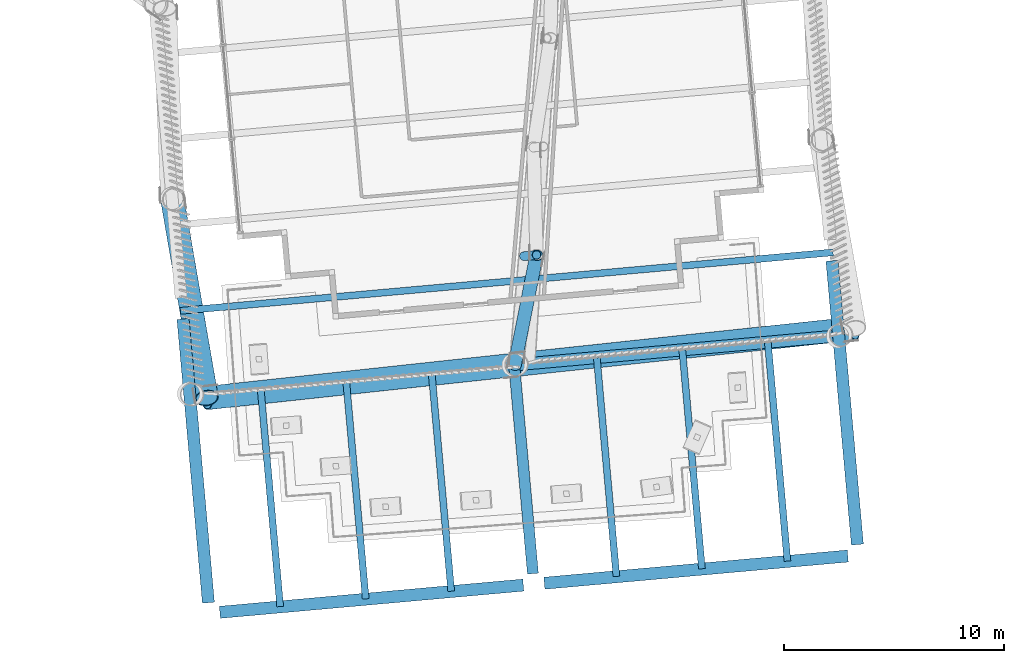
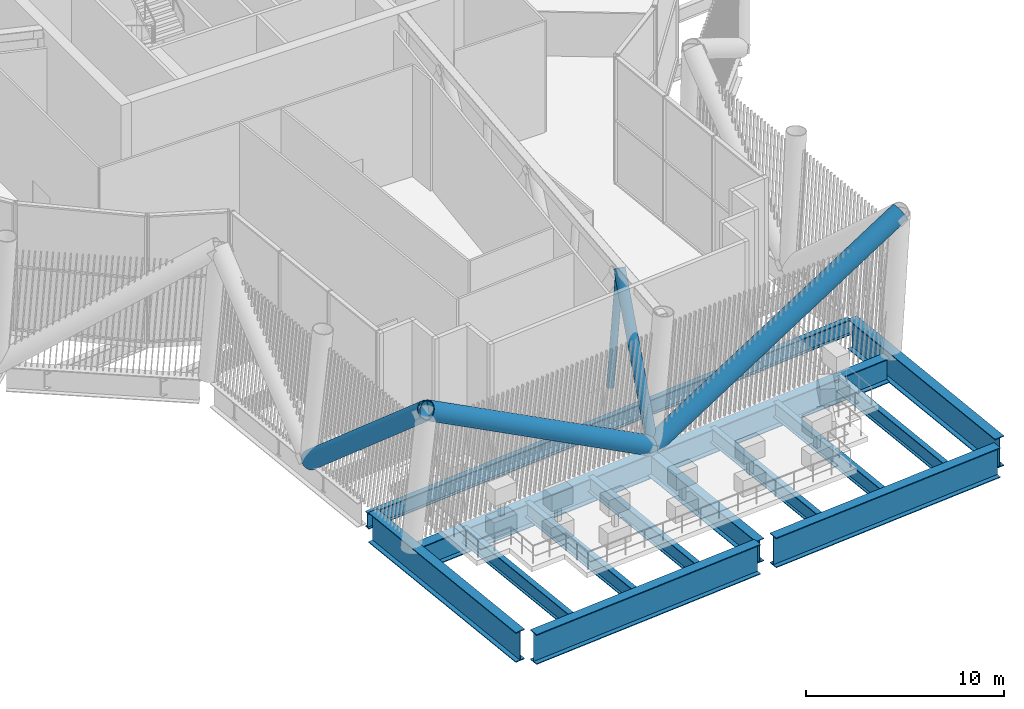
# One storey, part 3 of 55: 13 beams, 5 members.
"""IFC4 building model written with IfcOpenShell, lengths in metres."""

from ifc_helpers import new_model, si_unit, direction, frame, origin, origin_2d, place, context, subcontext, project, spatial, hollow_circle, i_section, extrude, material, material_profile, profile_set, type_object, element, save


model = new_model("IFC4")

# Units and contexts
model_context = context("Model", 3, precision=1e-05, world=origin(), true_north=direction((0.0, 1.0)))
body_context = subcontext(model_context, "Body", "Model", "MODEL_VIEW")
ifc_project = project(units=[si_unit("LENGTHUNIT", "METRE"), si_unit("AREAUNIT", "SQUARE_METRE"), si_unit("VOLUMEUNIT", "CUBIC_METRE"), si_unit("PLANEANGLEUNIT", "RADIAN"), si_unit("MASSUNIT", "GRAM", prefix="KILO")], contexts=[model_context])

# Site, building, storey
site_placement = place(None, origin())
site = spatial("IfcSite", under=ifc_project, at=site_placement, CompositionType="ELEMENT")
building_placement = place(site_placement, origin())
building = spatial("IfcBuilding", under=site, at=building_placement, Name="Tarsis Ring Headquarters", CompositionType="ELEMENT")
storey_placement = place(building_placement, frame((0.0, 0.0, 247.199951171875)))
storey = spatial("IfcBuildingStorey", under=building, at=storey_placement, Name="L58", CompositionType="ELEMENT", Elevation=247.199951171875)

# Beam
ifc_material = material(Name="Structural steel S355", Category="steel")
ifc_material_profile_1 = material_profile(ifc_material, i_section(OverallWidth=0.309814453125, OverallDepth=0.949951171875, WebThickness=0.0244140625, FlangeThickness=0.0439453125, at=origin_2d()), Name="W36x256")
ifc_profile_set_1 = profile_set([ifc_material_profile_1], Name="Structural steel S355")
beam_type_1 = type_object("IfcBeamType", Name="FB Floor beam W36x256", PredefinedType="JOIST", material=ifc_profile_set_1)
beam_1_placement = place(storey_placement, frame((-11.34521484375, -40.1728515625, -0.77490234375), z_axis=(0.996010001, 0.089241682565, 0.0), x_axis=(-0.089241682565, 0.996010001, 0.0)))
element("IfcBeam", 1, at=beam_1_placement, inside=storey, type_object=beam_type_1, Name="Floor beam FB11", PredefinedType="JOIST", context=body_context, shape_type="SweptSolid", body=[
    extrude(i_section(OverallWidth=0.309814453125, OverallDepth=0.949951171875, WebThickness=0.0244140625, FlangeThickness=0.0439453125, at=origin_2d()), origin(), (0.0, 0.0, 1.0), 29.770263671875),
])

# Members
ifc_material_profile_2 = material_profile(ifc_material, hollow_circle(Radius=0.3046875, WallThickness=0.02490234375, at=origin_2d()), Name="CHS 610x25")
ifc_profile_set_2 = profile_set([ifc_material_profile_2], Name="Structural steel S355")
member_type_1 = type_object("IfcMemberType", Name="OD Outrigger diagonal CHS 610x25", PredefinedType="BRACE", material=ifc_profile_set_2)
member_1_placement = place(storey_placement, frame((4.837158203125, -37.63330078125, 7.5859375), z_axis=(-0.111344268075, -0.559429049178, -0.821365687683), x_axis=(0.980762828398, -0.195203161944, 0.0)))
element("IfcMember", 2, at=member_1_placement, inside=storey, type_object=member_type_1, Name="Outrigger diagonal OD1", PredefinedType="BRACE", context=body_context, shape_type="SweptSolid", body=[
    extrude(hollow_circle(Radius=0.3046875, WallThickness=0.02490234375, at=origin_2d()), origin(), (0.0, 0.0, 1.0), 8.92626953125),
])
ifc_material_profile_3 = material_profile(ifc_material, hollow_circle(Radius=0.203125, WallThickness=0.01611328125, at=origin_2d()), Name="CHS 406x16")
ifc_profile_set_3 = profile_set([ifc_material_profile_3], Name="Structural steel S355")
member_type_2 = type_object("IfcMemberType", Name="OV Outrigger post CHS 406x16", PredefinedType="STRUT", material=ifc_profile_set_3)
member_2_placement = place(storey_placement, frame((4.269287109375, -37.689208984375, 0.508056640625), z_axis=(0.082927640031, 0.008164415119, 0.996522126621), x_axis=(-0.097978577814, 0.995188523994, 0.0)))
element("IfcMember", 3, at=member_2_placement, inside=storey, type_object=member_type_2, Name="Outrigger post OV1", PredefinedType="STRUT", context=body_context, shape_type="SweptSolid", body=[
    extrude(hollow_circle(Radius=0.203125, WallThickness=0.01611328125, at=origin_2d()), origin(), (0.0, 0.0, 1.0), 6.847900390625),
])

# Beams
beam_type_2 = type_object("IfcBeamType", Name="TB Transfer beam W36x256", PredefinedType="BEAM", material=ifc_profile_set_1)
beam_2_placement = place(storey_placement, frame((7.5732421875, -42.307861328125, -0.77490234375), z_axis=(0.089255121434, -0.996008796797, 0.0), x_axis=(0.996008796797, 0.089255121434, 0.0)))
element("IfcBeam", 4, at=beam_2_placement, inside=storey, type_object=beam_type_2, Name="Transfer beam TB11", PredefinedType="BEAM", context=body_context, shape_type="SweptSolid", body=[
    extrude(i_section(OverallWidth=0.309814453125, OverallDepth=0.949951171875, WebThickness=0.0244140625, FlangeThickness=0.0439453125, at=origin_2d()), origin(), (0.0, 0.0, 1.0), 9.97021484375),
])
for number, where, z_axis, x_axis, name in (
    (5, (11.457763671875, -41.9599609375, -0.77490234375), (0.089257298354, -0.996008601715, 0.0), (0.996008601715, 0.089257298354, 0.0), "Transfer beam TB11"),
    (6, (15.34228515625, -41.61181640625, -0.77490234375), (0.089233005765, -0.996010778397, 0.0), (0.996010778397, 0.089233005765, 0.0), "Transfer beam TB11"),
    (7, (0.958251953125, -52.91064453125, -0.77490234375), (-0.089257298354, 0.996008601715, 0.0), (-0.996008601715, -0.089257298354, 0.0), "Transfer beam TB11"),
    (8, (-2.92626953125, -53.258544921875, -0.77490234375), (-0.089233005765, 0.996010778397, 0.0), (-0.996010778397, -0.089233005765, 0.0), "Transfer beam TB11"),
    (9, (-6.810791015625, -53.606689453125, -0.77490234375), (-0.089233005765, 0.996010778397, 0.0), (-0.996010778397, -0.089233005765, 0.0), "Transfer beam TB11"),
):
    element("IfcBeam", number, at=place(storey_placement, frame(where, z_axis=z_axis, x_axis=x_axis)), inside=storey, type_object=beam_type_2, Name=name, PredefinedType="BEAM", context=body_context, shape_type="SweptSolid", body=[
        extrude(i_section(OverallWidth=0.309814453125, OverallDepth=0.949951171875, WebThickness=0.0244140625, FlangeThickness=0.0439453125, at=origin_2d()), origin(), (0.0, 0.0, 1.0), 9.969970703125),
    ])

# Members
ifc_material_profile_4 = material_profile(ifc_material, hollow_circle(Radius=0.533447265625, WallThickness=0.044921875, at=origin_2d()), Name="CHS 1067x45")
ifc_profile_set_4 = profile_set([ifc_material_profile_4], Name="Structural steel S355")
member_type_3 = type_object("IfcMemberType", Name="TD Belt truss diagonal CHS 1067x45", PredefinedType="BRACE", material=ifc_profile_set_4)
member_3_placement = place(storey_placement, frame((-11.7158203125, -35.083251953125, 0.0), z_axis=(0.128340772344, -0.7430656118, 0.656796880866), x_axis=(0.985409888124, 0.170197979976, 0.0)))
element("IfcMember", 10, at=member_3_placement, inside=storey, type_object=member_type_3, Name="Belt truss diagonal TD5", PredefinedType="BRACE", context=body_context, shape_type="SweptSolid", body=[
    extrude(hollow_circle(Radius=0.533447265625, WallThickness=0.044921875, at=origin_2d()), origin(), (0.0, 0.0, 1.0), 12.180419921875),
])
member_4_placement = place(storey_placement, frame((3.819580078125, -42.629150390625, 0.0), z_axis=(-0.864051149965, -0.093063276051, 0.494727032711), x_axis=(0.107086410251, -0.994249717495, 0.0)))
element("IfcMember", 11, at=member_4_placement, inside=storey, type_object=member_type_3, Name="Belt truss diagonal TD5", PredefinedType="BRACE", context=body_context, shape_type="SweptSolid", body=[
    extrude(hollow_circle(Radius=0.533447265625, WallThickness=0.044921875, at=origin_2d()), origin(), (0.0, 0.0, 1.0), 16.170654296875),
])
member_5_placement = place(storey_placement, frame((3.819580078125, -42.629150390625, 0.0), z_axis=(0.884156739554, 0.094419896918, 0.457549716388), x_axis=(-0.106187125126, 0.9943461643, 0.0)))
element("IfcMember", 12, at=member_5_placement, inside=storey, type_object=member_type_3, Name="Belt truss diagonal TD5", PredefinedType="BRACE", context=body_context, shape_type="SweptSolid", body=[
    extrude(hollow_circle(Radius=0.533447265625, WallThickness=0.044921875, at=origin_2d()), origin(), (0.0, 0.0, 1.0), 17.484375),
])

# Beams
ifc_material_profile_5 = material_profile(ifc_material, i_section(OverallWidth=0.5, OverallDepth=1.39990234375, WebThickness=0.030029296875, FlangeThickness=0.0400390625, at=origin_2d()), Name="PG 1400x500x30x40")
ifc_profile_set_5 = profile_set([ifc_material_profile_5], Name="Structural steel S355")
beam_type_3 = type_object("IfcBeamType", Name="XG Ring girder PG 1400x500x30x40", PredefinedType="BEAM", material=ifc_profile_set_5)
beam_3_placement = place(storey_placement, frame((4.669189453125, -52.111083984375, -1.050048828125), z_axis=(-0.089259572487, 0.996008397916, 0.0), x_axis=(-0.996008397916, -0.089259572487, 0.0)))
element("IfcBeam", 13, at=beam_3_placement, inside=storey, type_object=beam_type_3, Name="Ring girder XG7", PredefinedType="BEAM", context=body_context, shape_type="SweptSolid", body=[
    extrude(i_section(OverallWidth=0.5, OverallDepth=1.39990234375, WebThickness=0.030029296875, FlangeThickness=0.0400390625, at=origin_2d()), origin(), (0.0, 0.0, 1.0), 9.504638671875),
])
ifc_material_profile_6 = material_profile(ifc_material, i_section(OverallWidth=0.550048828125, OverallDepth=1.5, WebThickness=0.030029296875, FlangeThickness=0.050048828125, at=origin_2d()), Name="PG 1500x550x30x50")
ifc_profile_set_6 = profile_set([ifc_material_profile_6], Name="Structural steel S355")
beam_type_4 = type_object("IfcBeamType", Name="XG Ring girder PG 1500x550x30x50", PredefinedType="BEAM", material=ifc_profile_set_6)
beam_4_placement = place(storey_placement, frame((-10.642578125, -43.925048828125, -1.050048828125), z_axis=(0.996010130748, 0.089240234464, 0.0), x_axis=(-0.089240234464, 0.996010130748, 0.0)))
element("IfcBeam", 14, at=beam_4_placement, inside=storey, type_object=beam_type_4, Name="Ring girder XG6", PredefinedType="BEAM", context=body_context, shape_type="SweptSolid", body=[
    extrude(i_section(OverallWidth=0.550048828125, OverallDepth=1.5, WebThickness=0.030029296875, FlangeThickness=0.050048828125, at=origin_2d()), origin(), (0.0, 0.0, 1.0), 29.040283203125),
])
ifc_material_profile_7 = material_profile(ifc_material, i_section(OverallWidth=0.550048828125, OverallDepth=1.85009765625, WebThickness=0.030029296875, FlangeThickness=0.050048828125, at=origin_2d()), Name="PG 1850x550x30x50")
ifc_profile_set_7 = profile_set([ifc_material_profile_7], Name="Structural steel S355")
beam_type_5 = type_object("IfcBeamType", Name="XG Ring girder PG 1850x550x30x50", PredefinedType="BEAM", material=ifc_profile_set_7)
for number, where, z_axis, x_axis, name in (
    (15, (-11.226806640625, -40.54150390625, -0.925048828125), (0.089246412051, -0.996009577231, 0.0), (0.996009577231, 0.089246412051, 0.0), "Ring girder XG8"),
    (16, (18.255126953125, -37.89990234375, -0.925048828125), (0.089246412051, -0.996009577231, 0.0), (0.996009577231, 0.089246412051, 0.0), "Ring girder XG8"),
):
    element("IfcBeam", number, at=place(storey_placement, frame(where, z_axis=z_axis, x_axis=x_axis)), inside=storey, type_object=beam_type_5, Name=name, PredefinedType="BEAM", context=body_context, shape_type="SweptSolid", body=[
        extrude(i_section(OverallWidth=0.550048828125, OverallDepth=1.85009765625, WebThickness=0.030029296875, FlangeThickness=0.050048828125, at=origin_2d()), origin(), (0.0, 0.0, 1.0), 12.942138671875),
    ])
for number, where, z_axis, x_axis, name in (
    (17, (-9.55078125, -53.8671875, -0.925048828125), (0.996009921163, 0.08924257361, 0.0), (-0.08924257361, 0.996009921163, 0.0), "Ring girder XG8"),
    (18, (5.190185546875, -52.54638671875, -0.925048828125), (0.996009921163, 0.08924257361, 0.0), (-0.08924257361, 0.996009921163, 0.0), "Ring girder XG8"),
):
    element("IfcBeam", number, at=place(storey_placement, frame(where, z_axis=z_axis, x_axis=x_axis)), inside=storey, type_object=beam_type_5, Name=name, PredefinedType="BEAM", context=body_context, shape_type="SweptSolid", body=[
        extrude(i_section(OverallWidth=0.550048828125, OverallDepth=1.85009765625, WebThickness=0.030029296875, FlangeThickness=0.050048828125, at=origin_2d()), origin(), (0.0, 0.0, 1.0), 13.83984375),
    ])

save(model, "model.ifc")
